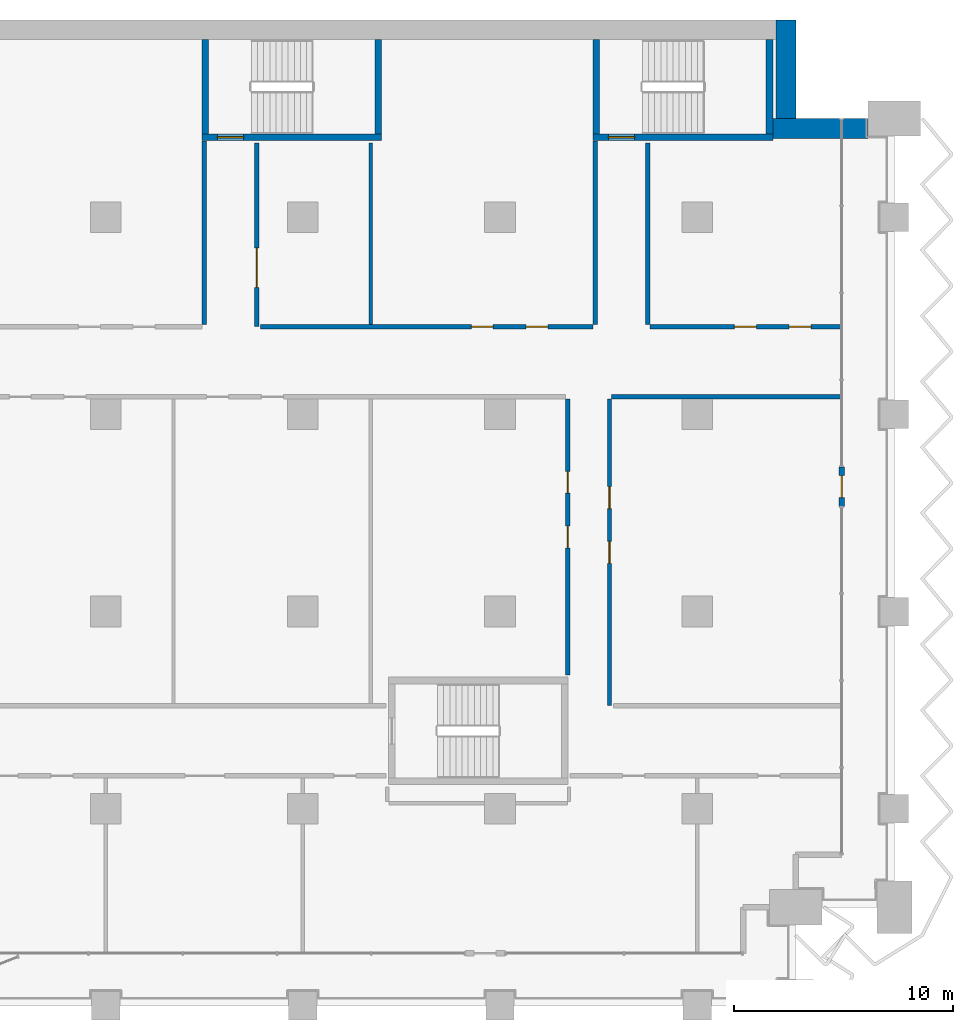
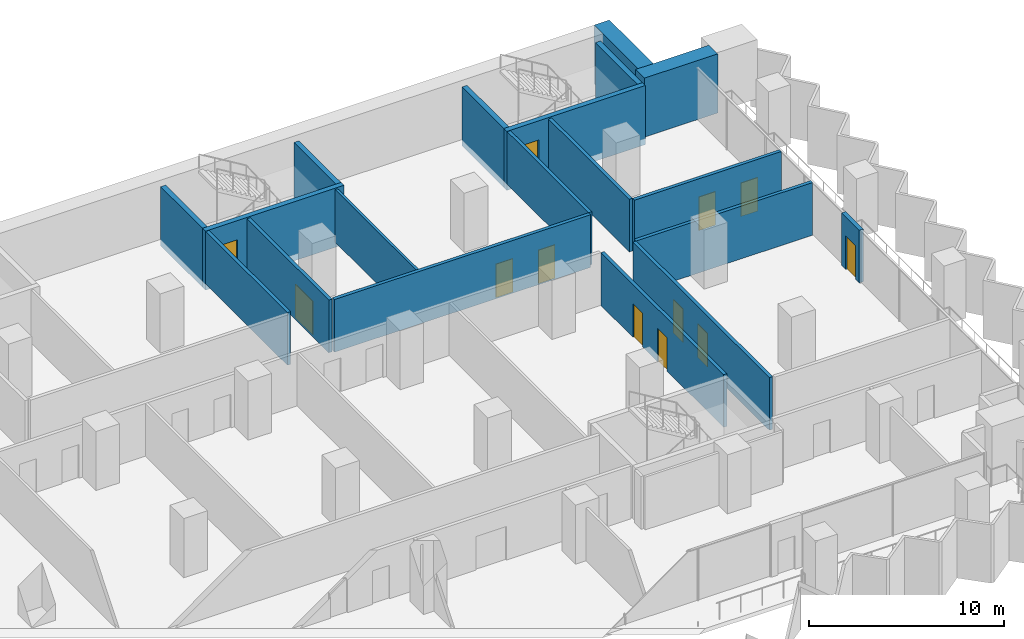
# One storey, part 18 of 28: 19 walls, 12 doors, 12 openings.
"""IFC4 building model written with IfcOpenShell, lengths in metres."""

from ifc_helpers import new_model, si_unit, direction, frame, frame_2d, origin, place, context, subcontext, project, spatial, rectangle, extrude, material, layer, layer_set, type_object, element, fill, save


model = new_model("IFC4")

# Units and contexts
model_context = context("Model", 3, precision=1e-05, world=origin(), true_north=direction((0.0, 1.0)))
body_context = subcontext(model_context, "Body", "Model", "MODEL_VIEW")
ifc_project = project(units=[si_unit("LENGTHUNIT", "METRE"), si_unit("AREAUNIT", "SQUARE_METRE"), si_unit("VOLUMEUNIT", "CUBIC_METRE"), si_unit("PLANEANGLEUNIT", "RADIAN"), si_unit("MASSUNIT", "GRAM", prefix="KILO")], contexts=[model_context])

# Site, building, storey
site_placement = place(None, origin())
site = spatial("IfcSite", under=ifc_project, at=site_placement, CompositionType="ELEMENT")
building_placement = place(site_placement, origin())
building = spatial("IfcBuilding", under=site, at=building_placement, Name="Hunhe Ridgeline Campus", CompositionType="ELEMENT")
storey_placement = place(building_placement, frame((0.0, 0.0, 35.800048828125)))
storey = spatial("IfcBuildingStorey", under=building, at=storey_placement, Name="L07", CompositionType="ELEMENT", Elevation=35.800048828125)

# Wall
ifc_material_1 = material(Name="Gypsum board partition")
ifc_layer_1 = layer(ifc_material_1, 0.199951171875)
ifc_layer_set_1 = layer_set([ifc_layer_1], Name="Corridor partition 200 gypsum board on steel studs")
wall_type_1 = type_object("IfcWallType", Name="Corridor partition 200 gypsum board on steel studs", PredefinedType="PARTITIONING", material=ifc_layer_set_1)
wall_1_placement = place(storey_placement, frame((96.544921875, 81.800048828125, 0.0), z_axis=(0.0, 0.0, 1.0), x_axis=(-1.0, 0.0, 0.0)))
element("IfcWall", 1, at=wall_1_placement, inside=storey, type_object=wall_type_1, Name="F-L07-wall-039", PredefinedType="PARTITIONING", context=body_context, shape_type="SweptSolid", body=[
    extrude(rectangle(XDim=10.44482421875, YDim=0.199951171875, at=frame_2d((5.222412109375, 0.0))), origin(), (0.0, 0.0, 1.0), 3.300048828125),
])

# Wall, openings, doors
wall_2_placement = place(storey_placement, frame((70.0703125, 85.0, 0.0), z_axis=(0.0, 0.0, 1.0), x_axis=(1.0, 0.0, 0.0)))
wall_2 = element("IfcWall", 2, at=wall_2_placement, inside=storey, type_object=wall_type_1, Name="F-L07-wall-042", PredefinedType="PARTITIONING", context=body_context, shape_type="SweptSolid", body=[
    extrude(rectangle(XDim=15.1796875, YDim=0.199951171875, at=frame_2d((7.58984375, 0.0))), origin(), (0.0, 0.0, 1.0), 3.300048828125),
])
opening_1_placement = place(wall_2_placement, frame((9.619873046875, 0.0, 0.0)))
opening_1 = element("IfcOpeningElement", 3, at=opening_1_placement, cuts=wall_2, Name="Opening RD1-047", PredefinedType="OPENING", context=body_context, shape_type="SweptSolid", body=[
    extrude(rectangle(XDim=1.0, YDim=2.10009765625, at=frame_2d((0.5, 1.050048828125))), frame((0.0, 0.10009765625, 0.0), z_axis=(0.0, -1.0, 0.0), x_axis=(1.0, 0.0, 0.0)), (0.0, 0.0, 1.0), 0.199951171875),
])
opening_2_placement = place(wall_2_placement, frame((12.119873046875, 0.0, 0.0)))
opening_2 = element("IfcOpeningElement", 4, at=opening_2_placement, cuts=wall_2, Name="Opening RD1-048", PredefinedType="OPENING", context=body_context, shape_type="SweptSolid", body=[
    extrude(rectangle(XDim=1.0, YDim=2.10009765625, at=frame_2d((0.5, 1.050048828125))), frame((0.0, 0.10009765625, 0.0), z_axis=(0.0, -1.0, 0.0), x_axis=(1.0, 0.0, 0.0)), (0.0, 0.0, 1.0), 0.199951171875),
])
ifc_material_2 = material(Name="Timber door leaf", Category="wood")
door_type_1 = type_object("IfcDoorType", Name="Single fire door 1000x2100 timber FD60", OperationType="NOTDEFINED", PredefinedType="DOOR", material=ifc_material_2)
door_1_placement = place(opening_1_placement, frame((1.0, 0.0, 0.0), z_axis=(0.0, 0.0, 1.0), x_axis=(-1.0, 0.0, 0.0)))
door_1 = element("IfcDoor", 5, at=door_1_placement, inside=storey, type_object=door_type_1, Name="F-L07-door-047", OperationType="SINGLE_SWING_LEFT", OverallHeight=2.10009765625, OverallWidth=1.0, PredefinedType="DOOR", context=body_context, shape_type="SweptSolid", body=[
    extrude(rectangle(XDim=1.0, YDim=2.10009765625, at=frame_2d((0.5, 1.050048828125))), frame((0.0, 0.02490234375, 0.0), z_axis=(0.0, -1.0, 0.0), x_axis=(1.0, 0.0, 0.0)), (0.0, 0.0, 1.0), 0.050048828125),
])
fill(opening_1, door_1)
door_2_placement = place(opening_2_placement, frame((1.0, 0.0, 0.0), z_axis=(0.0, 0.0, 1.0), x_axis=(-1.0, 0.0, 0.0)))
door_2 = element("IfcDoor", 6, at=door_2_placement, inside=storey, type_object=door_type_1, Name="F-L07-door-048", OperationType="SINGLE_SWING_LEFT", OverallHeight=2.10009765625, OverallWidth=1.0, PredefinedType="DOOR", context=body_context, shape_type="SweptSolid", body=[
    extrude(rectangle(XDim=1.0, YDim=2.10009765625, at=frame_2d((0.5, 1.050048828125))), frame((0.0, 0.02490234375, 0.0), z_axis=(0.0, -1.0, 0.0), x_axis=(1.0, 0.0, 0.0)), (0.0, 0.0, 1.0), 0.050048828125),
])
fill(opening_2, door_2)

wall_3_placement = place(storey_placement, frame((87.85009765625, 85.0, 0.0), z_axis=(0.0, 0.0, 1.0), x_axis=(1.0, 0.0, 0.0)))
wall_3 = element("IfcWall", 7, at=wall_3_placement, inside=storey, type_object=wall_type_1, Name="F-L07-wall-043", PredefinedType="PARTITIONING", context=body_context, shape_type="SweptSolid", body=[
    extrude(rectangle(XDim=8.69482421875, YDim=0.199951171875, at=frame_2d((4.347412109375, 0.0))), origin(), (0.0, 0.0, 1.0), 3.300048828125),
])
opening_3_placement = place(wall_3_placement, frame((3.847412109375, 0.0, 0.0)))
opening_3 = element("IfcOpeningElement", 8, at=opening_3_placement, cuts=wall_3, Name="Opening RD1-049", PredefinedType="OPENING", context=body_context, shape_type="SweptSolid", body=[
    extrude(rectangle(XDim=1.0, YDim=2.10009765625, at=frame_2d((0.5, 1.050048828125))), frame((0.0, 0.10009765625, 0.0), z_axis=(0.0, -1.0, 0.0), x_axis=(1.0, 0.0, 0.0)), (0.0, 0.0, 1.0), 0.199951171875),
])
opening_4_placement = place(wall_3_placement, frame((6.347412109375, 0.0, 0.0)))
opening_4 = element("IfcOpeningElement", 9, at=opening_4_placement, cuts=wall_3, Name="Opening RD1-050", PredefinedType="OPENING", context=body_context, shape_type="SweptSolid", body=[
    extrude(rectangle(XDim=1.0, YDim=2.10009765625, at=frame_2d((0.5, 1.050048828125))), frame((0.0, 0.10009765625, 0.0), z_axis=(0.0, -1.0, 0.0), x_axis=(1.0, 0.0, 0.0)), (0.0, 0.0, 1.0), 0.199951171875),
])
door_3_placement = place(opening_3_placement, frame((1.0, 0.0, 0.0), z_axis=(0.0, 0.0, 1.0), x_axis=(-1.0, 0.0, 0.0)))
door_3 = element("IfcDoor", 10, at=door_3_placement, inside=storey, type_object=door_type_1, Name="F-L07-door-049", OperationType="SINGLE_SWING_LEFT", OverallHeight=2.10009765625, OverallWidth=1.0, PredefinedType="DOOR", context=body_context, shape_type="SweptSolid", body=[
    extrude(rectangle(XDim=1.0, YDim=2.10009765625, at=frame_2d((0.5, 1.050048828125))), frame((0.0, 0.02490234375, 0.0), z_axis=(0.0, -1.0, 0.0), x_axis=(1.0, 0.0, 0.0)), (0.0, 0.0, 1.0), 0.050048828125),
])
fill(opening_3, door_3)
door_4_placement = place(opening_4_placement, frame((1.0, 0.0, 0.0), z_axis=(0.0, 0.0, 1.0), x_axis=(-1.0, 0.0, 0.0)))
door_4 = element("IfcDoor", 11, at=door_4_placement, inside=storey, type_object=door_type_1, Name="F-L07-door-050", OperationType="SINGLE_SWING_LEFT", OverallHeight=2.10009765625, OverallWidth=1.0, PredefinedType="DOOR", context=body_context, shape_type="SweptSolid", body=[
    extrude(rectangle(XDim=1.0, YDim=2.10009765625, at=frame_2d((0.5, 1.050048828125))), frame((0.0, 0.02490234375, 0.0), z_axis=(0.0, -1.0, 0.0), x_axis=(1.0, 0.0, 0.0)), (0.0, 0.0, 1.0), 0.050048828125),
])
fill(opening_4, door_4)

# Wall
wall_4_placement = place(storey_placement, frame((67.5, 85.10009765625, 0.0), z_axis=(0.0, 0.0, 1.0), x_axis=(0.0, 1.0, 0.0)))
element("IfcWall", 12, at=wall_4_placement, inside=storey, type_object=wall_type_1, Name="F-L07-wall-068", PredefinedType="PARTITIONING", context=body_context, shape_type="SweptSolid", body=[
    extrude(rectangle(XDim=8.369873046875, YDim=0.199951171875, at=frame_2d((4.18505859375, 0.0))), origin(), (0.0, 0.0, 1.0), 3.300048828125),
])

# Wall, opening, door
wall_5_placement = place(storey_placement, frame((69.89990234375, 93.39599609375, 0.0), z_axis=(0.0, 0.0, 1.0), x_axis=(0.0, -1.0, 0.0)))
wall_5 = element("IfcWall", 13, at=wall_5_placement, inside=storey, type_object=wall_type_1, Name="F-L07-wall-069", PredefinedType="PARTITIONING", context=body_context, shape_type="SweptSolid", body=[
    extrude(rectangle(XDim=8.39599609375, YDim=0.199951171875, at=frame_2d((4.197998046875, 0.0))), origin(), (0.0, 0.0, 1.0), 3.300048828125),
])
opening_5_placement = place(wall_5_placement, frame((4.798095703125, 0.0, 0.0)))
opening_5 = element("IfcOpeningElement", 14, at=opening_5_placement, cuts=wall_5, Name="Opening RD2-052", PredefinedType="OPENING", context=body_context, shape_type="SweptSolid", body=[
    extrude(rectangle(XDim=1.800048828125, YDim=2.10009765625, at=frame_2d((0.89990234375, 1.050048828125))), frame((0.0, 0.10009765625, 0.0), z_axis=(0.0, -1.0, 0.0), x_axis=(1.0, 0.0, 0.0)), (0.0, 0.0, 1.0), 0.199951171875),
])
door_type_2 = type_object("IfcDoorType", Name="Double fire door 1800x2100 timber FD60", OperationType="DOUBLE_DOOR_SINGLE_SWING", PredefinedType="DOOR", material=ifc_material_2)
door_5_placement = place(opening_5_placement, origin())
door_5 = element("IfcDoor", 15, at=door_5_placement, inside=storey, type_object=door_type_2, Name="F-L07-door-052", OperationType="DOUBLE_DOOR_SINGLE_SWING", OverallHeight=2.10009765625, OverallWidth=1.800048828125, PredefinedType="DOOR", context=body_context, shape_type="SweptSolid", body=[
    extrude(rectangle(XDim=1.800048828125, YDim=2.10009765625, at=frame_2d((0.89990234375, 1.050048828125))), frame((0.0, 0.02490234375, 0.0), z_axis=(0.0, -1.0, 0.0), x_axis=(1.0, 0.0, 0.0)), (0.0, 0.0, 1.0), 0.050048828125),
])
fill(opening_5, door_5)

# Wall, openings, doors
wall_6_placement = place(storey_placement, frame((84.10009765625, 69.10400390625, 0.0), z_axis=(0.0, 0.0, 1.0), x_axis=(0.0, 1.0, 0.0)))
wall_6 = element("IfcWall", 16, at=wall_6_placement, inside=storey, type_object=wall_type_1, Name="F-L07-wall-075", PredefinedType="PARTITIONING", context=body_context, shape_type="SweptSolid", body=[
    extrude(rectangle(XDim=12.595947265625, YDim=0.199951171875, at=frame_2d((6.2978515625, 0.0))), origin(), (0.0, 0.0, 1.0), 3.300048828125),
])
opening_6_placement = place(wall_6_placement, frame((5.798095703125, 0.0, 0.0)))
opening_6 = element("IfcOpeningElement", 17, at=opening_6_placement, cuts=wall_6, Name="Opening RD1-033", PredefinedType="OPENING", context=body_context, shape_type="SweptSolid", body=[
    extrude(rectangle(XDim=1.0, YDim=2.10009765625, at=frame_2d((0.5, 1.050048828125))), frame((0.0, 0.10009765625, 0.0), z_axis=(0.0, -1.0, 0.0), x_axis=(1.0, 0.0, 0.0)), (0.0, 0.0, 1.0), 0.199951171875),
])
opening_7_placement = place(wall_6_placement, frame((8.298095703125, 0.0, 0.0)))
opening_7 = element("IfcOpeningElement", 18, at=opening_7_placement, cuts=wall_6, Name="Opening RD1-036", PredefinedType="OPENING", context=body_context, shape_type="SweptSolid", body=[
    extrude(rectangle(XDim=1.0, YDim=2.10009765625, at=frame_2d((0.5, 1.050048828125))), frame((0.0, 0.10009765625, 0.0), z_axis=(0.0, -1.0, 0.0), x_axis=(1.0, 0.0, 0.0)), (0.0, 0.0, 1.0), 0.199951171875),
])
door_6_placement = place(opening_6_placement, frame((1.0, 0.0, 0.0), z_axis=(0.0, 0.0, 1.0), x_axis=(-1.0, 0.0, 0.0)))
door_6 = element("IfcDoor", 19, at=door_6_placement, inside=storey, type_object=door_type_1, Name="F-L07-door-033", OperationType="SINGLE_SWING_LEFT", OverallHeight=2.10009765625, OverallWidth=1.0, PredefinedType="DOOR", context=body_context, shape_type="SweptSolid", body=[
    extrude(rectangle(XDim=1.0, YDim=2.10009765625, at=frame_2d((0.5, 1.050048828125))), frame((0.0, 0.02490234375, 0.0), z_axis=(0.0, -1.0, 0.0), x_axis=(1.0, 0.0, 0.0)), (0.0, 0.0, 1.0), 0.050048828125),
])
fill(opening_6, door_6)
door_7_placement = place(opening_7_placement, frame((1.0, 0.0, 0.0), z_axis=(0.0, 0.0, 1.0), x_axis=(-1.0, 0.0, 0.0)))
door_7 = element("IfcDoor", 20, at=door_7_placement, inside=storey, type_object=door_type_1, Name="F-L07-door-036", OperationType="SINGLE_SWING_LEFT", OverallHeight=2.10009765625, OverallWidth=1.0, PredefinedType="DOOR", context=body_context, shape_type="SweptSolid", body=[
    extrude(rectangle(XDim=1.0, YDim=2.10009765625, at=frame_2d((0.5, 1.050048828125))), frame((0.0, 0.02490234375, 0.0), z_axis=(0.0, -1.0, 0.0), x_axis=(1.0, 0.0, 0.0)), (0.0, 0.0, 1.0), 0.050048828125),
])
fill(opening_7, door_7)

# Wall
wall_7_placement = place(storey_placement, frame((85.35009765625, 85.10009765625, 0.0), z_axis=(0.0, 0.0, 1.0), x_axis=(0.0, 1.0, 0.0)))
element("IfcWall", 21, at=wall_7_placement, inside=storey, type_object=wall_type_1, Name="F-L07-wall-077", PredefinedType="PARTITIONING", context=body_context, shape_type="SweptSolid", body=[
    extrude(rectangle(XDim=8.369873046875, YDim=0.199951171875, at=frame_2d((4.18505859375, 0.0))), origin(), (0.0, 0.0, 1.0), 3.300048828125),
])

# Wall, openings, doors
wall_8_placement = place(storey_placement, frame((86.0, 81.699951171875, 0.0), z_axis=(0.0, 0.0, 1.0), x_axis=(0.0, -1.0, 0.0)))
wall_8 = element("IfcWall", 22, at=wall_8_placement, inside=storey, type_object=wall_type_1, Name="F-L07-wall-078", PredefinedType="PARTITIONING", context=body_context, shape_type="SweptSolid", body=[
    extrude(rectangle(XDim=14.0, YDim=0.199951171875, at=frame_2d((7.0, 0.0))), origin(), (0.0, 0.0, 1.0), 3.300048828125),
])
opening_8_placement = place(wall_8_placement, frame((6.5, 0.0, 0.0)))
opening_8 = element("IfcOpeningElement", 23, at=opening_8_placement, cuts=wall_8, Name="Opening RD1-031", PredefinedType="OPENING", context=body_context, shape_type="SweptSolid", body=[
    extrude(rectangle(XDim=1.0, YDim=2.10009765625, at=frame_2d((0.5, 1.050048828125))), frame((0.0, 0.10009765625, 0.0), z_axis=(0.0, -1.0, 0.0), x_axis=(1.0, 0.0, 0.0)), (0.0, 0.0, 1.0), 0.199951171875),
])
opening_9_placement = place(wall_8_placement, frame((4.0, 0.0, 0.0)))
opening_9 = element("IfcOpeningElement", 24, at=opening_9_placement, cuts=wall_8, Name="Opening RD1-034", PredefinedType="OPENING", context=body_context, shape_type="SweptSolid", body=[
    extrude(rectangle(XDim=1.0, YDim=2.10009765625, at=frame_2d((0.5, 1.050048828125))), frame((0.0, 0.10009765625, 0.0), z_axis=(0.0, -1.0, 0.0), x_axis=(1.0, 0.0, 0.0)), (0.0, 0.0, 1.0), 0.199951171875),
])
door_8_placement = place(opening_8_placement, frame((1.0, 0.0, 0.0), z_axis=(0.0, 0.0, 1.0), x_axis=(-1.0, 0.0, 0.0)))
door_8 = element("IfcDoor", 25, at=door_8_placement, inside=storey, type_object=door_type_1, Name="F-L07-door-031", OperationType="SINGLE_SWING_RIGHT", OverallHeight=2.10009765625, OverallWidth=1.0, PredefinedType="DOOR", context=body_context, shape_type="SweptSolid", body=[
    extrude(rectangle(XDim=1.0, YDim=2.10009765625, at=frame_2d((0.5, 1.050048828125))), frame((0.0, 0.02490234375, 0.0), z_axis=(0.0, -1.0, 0.0), x_axis=(1.0, 0.0, 0.0)), (0.0, 0.0, 1.0), 0.050048828125),
])
fill(opening_8, door_8)
door_9_placement = place(opening_9_placement, frame((1.0, 0.0, 0.0), z_axis=(0.0, 0.0, 1.0), x_axis=(-1.0, 0.0, 0.0)))
door_9 = element("IfcDoor", 26, at=door_9_placement, inside=storey, type_object=door_type_1, Name="F-L07-door-034", OperationType="SINGLE_SWING_RIGHT", OverallHeight=2.10009765625, OverallWidth=1.0, PredefinedType="DOOR", context=body_context, shape_type="SweptSolid", body=[
    extrude(rectangle(XDim=1.0, YDim=2.10009765625, at=frame_2d((0.5, 1.050048828125))), frame((0.0, 0.02490234375, 0.0), z_axis=(0.0, -1.0, 0.0), x_axis=(1.0, 0.0, 0.0)), (0.0, 0.0, 1.0), 0.050048828125),
])
fill(opening_9, door_9)

# Wall
wall_9_placement = place(storey_placement, frame((87.75, 93.39599609375, 0.0), z_axis=(0.0, 0.0, 1.0), x_axis=(0.0, -1.0, 0.0)))
element("IfcWall", 27, at=wall_9_placement, inside=storey, type_object=wall_type_1, Name="F-L07-wall-079", PredefinedType="PARTITIONING", context=body_context, shape_type="SweptSolid", body=[
    extrude(rectangle(XDim=8.2958984375, YDim=0.199951171875, at=frame_2d((4.14794921875, 0.0))), origin(), (0.0, 0.0, 1.0), 3.300048828125),
])

# Wall, opening, door
ifc_material_3 = material(Name="Concrete C30", Category="concrete")
ifc_layer_2 = layer(ifc_material_3, 0.25)
ifc_layer_set_2 = layer_set([ifc_layer_2], Name="Loggia door pier wall 250 Concrete C30")
wall_type_2 = type_object("IfcWallType", Name="Loggia door pier wall 250 Concrete C30", PredefinedType="SOLIDWALL", material=ifc_layer_set_2)
wall_10_placement = place(storey_placement, frame((96.59912109375, 76.800537109375, 0.0), z_axis=(0.0, 0.0, 1.0), x_axis=(0.0, 1.0, 0.0)))
wall_10 = element("IfcWall", 28, at=wall_10_placement, inside=storey, type_object=wall_type_2, Name="Loggia door pier 5", PredefinedType="SOLIDWALL", context=body_context, shape_type="SweptSolid", body=[
    extrude(rectangle(XDim=1.800048828125, YDim=0.25, at=frame_2d((0.89990234375, 0.0))), origin(), (0.0, 0.0, 1.0), 3.300048828125),
])
opening_10_placement = place(wall_10_placement, frame((0.39990234375, 0.0, 0.0)))
opening_10 = element("IfcOpeningElement", 29, at=opening_10_placement, cuts=wall_10, Name="Opening BD108", PredefinedType="OPENING", context=body_context, shape_type="SweptSolid", body=[
    extrude(rectangle(XDim=1.0, YDim=2.10009765625, at=frame_2d((0.5, 1.050048828125))), frame((0.0, 0.125, 0.0), z_axis=(0.0, -1.0, 0.0), x_axis=(1.0, 0.0, 0.0)), (0.0, 0.0, 1.0), 0.25),
])
ifc_material_4 = material(Name="Aluminium 6063", Category="aluminium")
door_type_3 = type_object("IfcDoorType", Name="Loggia glazed door 1000x2100", OperationType="NOTDEFINED", PredefinedType="DOOR", material=ifc_material_4)
door_10_placement = place(opening_10_placement, frame((1.0, 0.0, 0.0), z_axis=(0.0, 0.0, 1.0), x_axis=(-1.0, 0.0, 0.0)))
door_10 = element("IfcDoor", 30, at=door_10_placement, inside=storey, type_object=door_type_3, Name="Loggia door BD108", OperationType="SINGLE_SWING_LEFT", OverallHeight=2.10009765625, OverallWidth=1.0, PredefinedType="DOOR", context=body_context, shape_type="SweptSolid", body=[
    extrude(rectangle(XDim=1.0, YDim=2.10009765625, at=frame_2d((0.5, 1.050048828125))), frame((0.0, 0.02490234375, 0.0), z_axis=(0.0, -1.0, 0.0), x_axis=(1.0, 0.0, 0.0)), (0.0, 0.0, 1.0), 0.050048828125),
])
fill(opening_10, door_10)

# Walls
ifc_layer_3 = layer(ifc_material_1, 0.14990234375)
ifc_layer_set_3 = layer_set([ifc_layer_3], Name="Room partition 150 gypsum board on steel studs")
wall_type_3 = type_object("IfcWallType", Name="Room partition 150 gypsum board on steel studs", PredefinedType="PARTITIONING", material=ifc_layer_set_3)
wall_11_placement = place(storey_placement, frame((75.10009765625, 93.39599609375, 0.0), z_axis=(0.0, 0.0, 1.0), x_axis=(0.0, -1.0, 0.0)))
element("IfcWall", 31, at=wall_11_placement, inside=storey, type_object=wall_type_3, Name="F-L07-wall-073", PredefinedType="PARTITIONING", context=body_context, shape_type="SweptSolid", body=[
    extrude(rectangle(XDim=8.2958984375, YDim=0.14990234375, at=frame_2d((4.14794921875, 0.0))), origin(), (0.0, 0.0, 1.0), 3.300048828125),
])
ifc_material_5 = material(Name="Concrete C80", Category="concrete")
ifc_layer_4 = layer(ifc_material_5, 0.89990234375)
ifc_layer_set_4 = layer_set([ifc_layer_4], Name="Spine wall 900 Concrete C80")
wall_type_4 = type_object("IfcWallType", Name="Spine wall 900 Concrete C80", PredefinedType="SHEAR", material=ifc_layer_set_4)
wall_12_placement = place(storey_placement, frame((97.800048828125, 94.050048828125, 0.0), z_axis=(0.0, 0.0, 1.0), x_axis=(-1.0, 0.0, 0.0)))
element("IfcWall", 32, at=wall_12_placement, inside=storey, type_object=wall_type_4, Name="Spine wall SW1-2 L07", PredefinedType="SHEAR", context=body_context, shape_type="SweptSolid", body=[
    extrude(rectangle(XDim=4.3505859375, YDim=0.89990234375, at=frame_2d((2.17529296875, 0.0))), origin(), (0.0, 0.0, 1.0), 3.699951171875),
])
wall_13_placement = place(storey_placement, frame((94.050048828125, 93.60009765625, 0.0), z_axis=(0.0, 0.0, 1.0), x_axis=(0.0, 1.0, 0.0)))
element("IfcWall", 33, at=wall_13_placement, inside=storey, type_object=wall_type_4, Name="Spine wall SW1-3 L07", PredefinedType="SHEAR", context=body_context, shape_type="SweptSolid", body=[
    extrude(rectangle(XDim=5.39990234375, YDim=0.89990234375, at=frame_2d((2.699951171875, 0.0))), origin(), (0.0, 0.0, 1.0), 3.699951171875),
])

# Wall, opening, door
ifc_layer_5 = layer(ifc_material_5, 0.300048828125)
ifc_layer_set_5 = layer_set([ifc_layer_5], Name="Stair wall 300 reinforced concrete C80")
wall_type_5 = type_object("IfcWallType", Name="Stair wall 300 reinforced concrete C80", PredefinedType="SOLIDWALL", material=ifc_layer_set_5)
wall_14_placement = place(storey_placement, frame((67.39990234375, 93.64990234375, -0.400146484375), z_axis=(0.0, 0.0, 1.0), x_axis=(1.0, 0.0, 0.0)))
wall_14 = element("IfcWall", 34, at=wall_14_placement, inside=storey, type_object=wall_type_5, Name="L07 core wall 34", PredefinedType="SOLIDWALL", context=body_context, shape_type="SweptSolid", body=[
    extrude(rectangle(XDim=8.2001953125, YDim=0.300048828125, at=frame_2d((4.10009765625, 0.0))), origin(), (0.0, 0.0, 1.0), 3.7001953125),
])
opening_11_placement = place(wall_14_placement, frame((0.699951171875, 0.0, 0.39990234375)))
opening_11 = element("IfcOpeningElement", 35, at=opening_11_placement, cuts=wall_14, Name="Opening CD19", PredefinedType="OPENING", context=body_context, shape_type="SweptSolid", body=[
    extrude(rectangle(XDim=1.199951171875, YDim=2.10009765625, at=frame_2d((0.60009765625, 1.050048828125))), frame((0.0, 0.14990234375, 0.0), z_axis=(0.0, -1.0, 0.0), x_axis=(1.0, 0.0, 0.0)), (0.0, 0.0, 1.0), 0.300048828125),
])
ifc_material_6 = material(Name="Hollow metal fire door leaf")
door_type_4 = type_object("IfcDoorType", Name="Stair door 1200x2100 FD60", OperationType="SINGLE_SWING_LEFT", PredefinedType="DOOR", material=ifc_material_6)
door_11_placement = place(opening_11_placement, frame((1.199951171875, 0.0, 0.0), z_axis=(0.0, 0.0, 1.0), x_axis=(-1.0, 0.0, 0.0)))
door_11 = element("IfcDoor", 36, at=door_11_placement, inside=storey, type_object=door_type_4, Name="L07 door E3", OperationType="SINGLE_SWING_RIGHT", OverallHeight=2.10009765625, OverallWidth=1.199951171875, PredefinedType="DOOR", context=body_context, shape_type="SweptSolid", body=[
    extrude(rectangle(XDim=1.199951171875, YDim=2.10009765625, at=frame_2d((0.60009765625, 1.050048828125))), frame((0.0, 0.02490234375, 0.0), z_axis=(0.0, -1.0, 0.0), x_axis=(1.0, 0.0, 0.0)), (0.0, 0.0, 1.0), 0.050048828125),
])
fill(opening_11, door_11)

wall_15_placement = place(storey_placement, frame((85.25, 93.64990234375, -0.400146484375), z_axis=(0.0, 0.0, 1.0), x_axis=(1.0, 0.0, 0.0)))
wall_15 = element("IfcWall", 37, at=wall_15_placement, inside=storey, type_object=wall_type_5, Name="L07 core wall 35", PredefinedType="SOLIDWALL", context=body_context, shape_type="SweptSolid", body=[
    extrude(rectangle(XDim=8.199951171875, YDim=0.300048828125, at=frame_2d((4.10009765625, 0.0))), origin(), (0.0, 0.0, 1.0), 3.7001953125),
])
opening_12_placement = place(wall_15_placement, frame((0.699951171875, 0.0, 0.39990234375)))
opening_12 = element("IfcOpeningElement", 38, at=opening_12_placement, cuts=wall_15, Name="Opening CD20", PredefinedType="OPENING", context=body_context, shape_type="SweptSolid", body=[
    extrude(rectangle(XDim=1.199951171875, YDim=2.10009765625, at=frame_2d((0.60009765625, 1.050048828125))), frame((0.0, 0.14990234375, 0.0), z_axis=(0.0, -1.0, 0.0), x_axis=(1.0, 0.0, 0.0)), (0.0, 0.0, 1.0), 0.300048828125),
])
door_12_placement = place(opening_12_placement, frame((1.199951171875, 0.0, 0.0), z_axis=(0.0, 0.0, 1.0), x_axis=(-1.0, 0.0, 0.0)))
door_12 = element("IfcDoor", 39, at=door_12_placement, inside=storey, type_object=door_type_4, Name="L07 door E4", OperationType="SINGLE_SWING_LEFT", OverallHeight=2.10009765625, OverallWidth=1.199951171875, PredefinedType="DOOR", context=body_context, shape_type="SweptSolid", body=[
    extrude(rectangle(XDim=1.199951171875, YDim=2.10009765625, at=frame_2d((0.60009765625, 1.050048828125))), frame((0.0, 0.02490234375, 0.0), z_axis=(0.0, -1.0, 0.0), x_axis=(1.0, 0.0, 0.0)), (0.0, 0.0, 1.0), 0.050048828125),
])
fill(opening_12, door_12)

# Walls
for number, where, z_axis, x_axis, name in (
    (40, (67.550048828125, 93.800048828125, -0.400146484375), (0.0, 0.0, 1.0), (0.0, 1.0, 0.0), "L07 core wall 69"),
    (41, (75.449951171875, 93.800048828125, -0.400146484375), (0.0, 0.0, 1.0), (0.0, 1.0, 0.0), "L07 core wall 70"),
    (42, (85.39990234375, 93.800048828125, -0.400146484375), (0.0, 0.0, 1.0), (0.0, 1.0, 0.0), "L07 core wall 73"),
    (43, (93.300048828125, 93.800048828125, -0.400146484375), (0.0, 0.0, 1.0), (0.0, 1.0, 0.0), "L07 core wall 74"),
):
    element("IfcWall", number, at=place(storey_placement, frame(where, z_axis=z_axis, x_axis=x_axis)), inside=storey, type_object=wall_type_5, Name=name, PredefinedType="SOLIDWALL", context=body_context, shape_type="SweptSolid", body=[
        extrude(rectangle(XDim=4.300048828125, YDim=0.300048828125, at=frame_2d((2.14990234375, 0.0))), origin(), (0.0, 0.0, 1.0), 3.7001953125),
    ])

save(model, "model.ifc")
